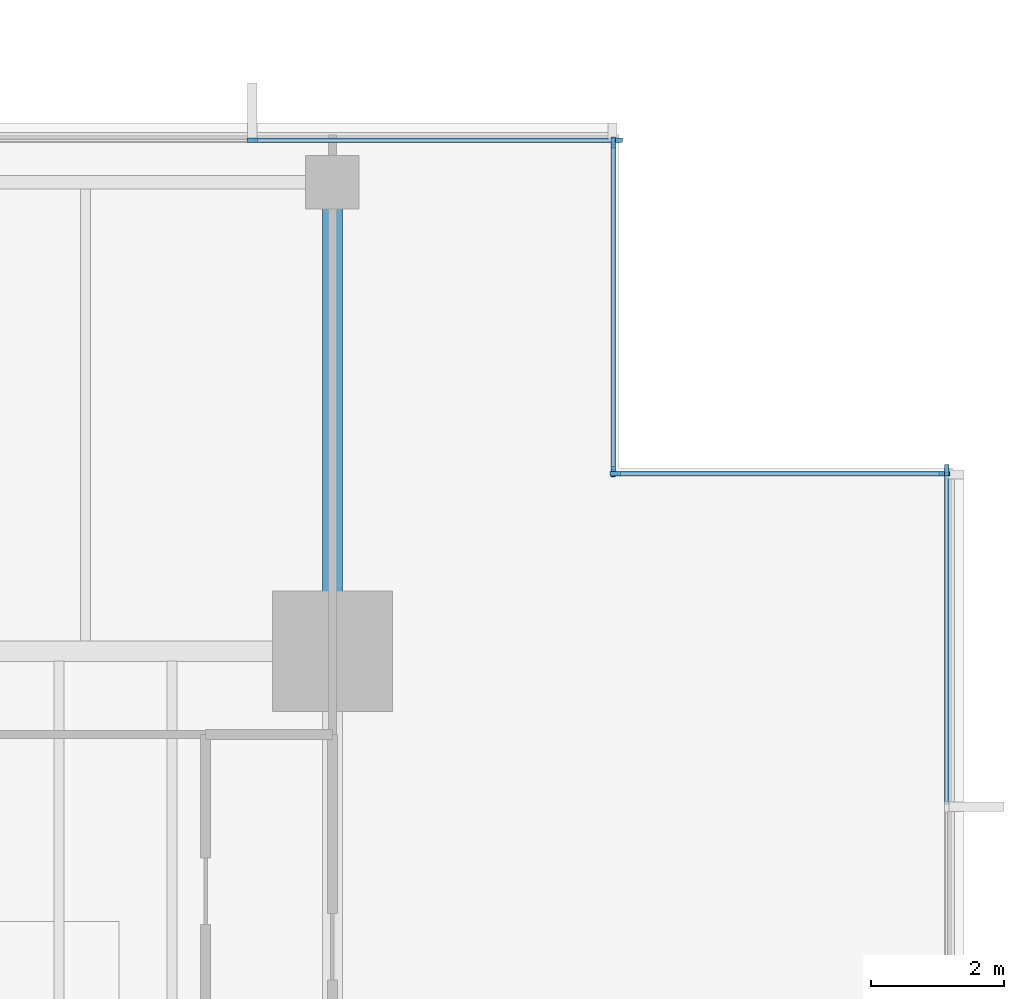
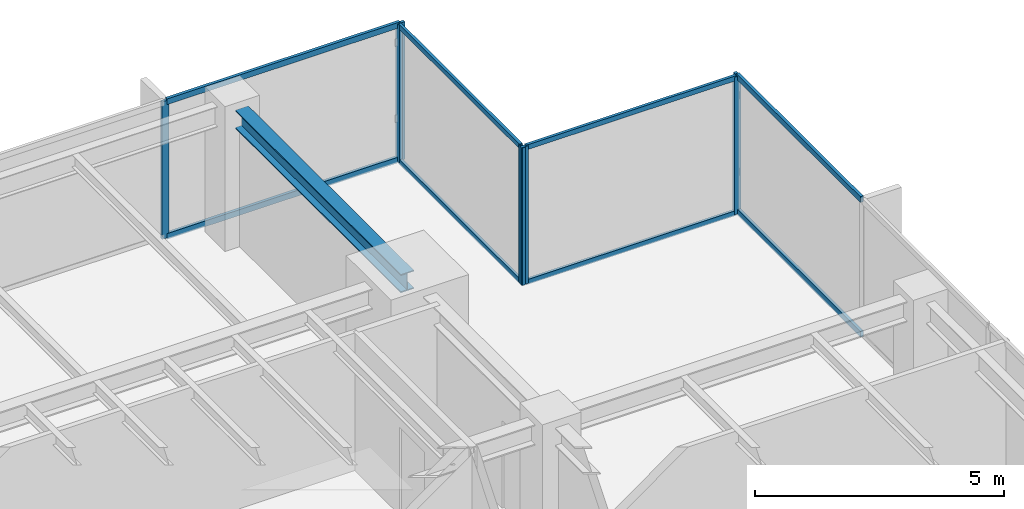
# One storey, part 6 of 14: 15 members, 1 beam, 4 elements without a shape of their own.
"""IFC4 building model written with IfcOpenShell, lengths in metres."""

from ifc_helpers import new_model, si_unit, direction, frame, origin, origin_2d, place, context, subcontext, project, spatial, rectangle, i_section, extrude, material, layer, layer_set, material_profile, profile_set, type_object, element, aggregate, save


model = new_model("IFC4")

# Units and contexts
model_context = context("Model", 3, precision=1e-05, world=origin(), true_north=direction((0.0, 1.0)))
body_context = subcontext(model_context, "Body", "Model", "MODEL_VIEW")
ifc_project = project(units=[si_unit("LENGTHUNIT", "METRE"), si_unit("AREAUNIT", "SQUARE_METRE"), si_unit("VOLUMEUNIT", "CUBIC_METRE"), si_unit("PLANEANGLEUNIT", "RADIAN"), si_unit("MASSUNIT", "GRAM", prefix="KILO")], contexts=[model_context])

# Site, building, storey
site_placement = place(None, origin())
site = spatial("IfcSite", under=ifc_project, at=site_placement, CompositionType="ELEMENT")
building_placement = place(site_placement, origin())
building = spatial("IfcBuilding", under=site, at=building_placement, Name="Kinhvarn Gate Tower", CompositionType="ELEMENT")
storey_placement = place(building_placement, frame((0.0, 0.0, 209.35009765625)))
storey = spatial("IfcBuildingStorey", under=building, at=storey_placement, Name="L55", CompositionType="ELEMENT", Elevation=209.35009765625)

# Curtain wall, members
ifc_material_1 = material(Name="Anodised aluminium AW-6063", Category="aluminium")
ifc_layer_1 = layer(ifc_material_1, 0.179931640625)
ifc_layer_set_1 = layer_set([ifc_layer_1], Name="Anodised aluminium AW-6063")
curtain_wall_type_1 = type_object("IfcCurtainWallType", Name="CW-SYS-3", PredefinedType="NOTDEFINED", material=ifc_layer_set_1)
curtain_wall_1_placement = place(storey_placement, origin())
curtain_wall_1 = element("IfcCurtainWall", 1, at=curtain_wall_1_placement, inside=storey, type_object=curtain_wall_type_1, Name="Curtain Wall CW3 (L55)", PredefinedType="NOTDEFINED")
ifc_material_profile_1 = material_profile(ifc_material_1, rectangle(XDim=0.06494140625, YDim=0.159912109375, at=origin_2d()), Name="ALU 65x160")
ifc_profile_set_1 = profile_set([ifc_material_profile_1], Name="Anodised aluminium AW-6063")
member_type_1 = type_object("IfcMemberType", Name="CW-MUL-160", PredefinedType="MULLION", material=ifc_profile_set_1)
member_1_placement = place(storey_placement, frame((42.467529296875, 45.409912109375, 0.0), z_axis=(0.0, 0.0, 1.0), x_axis=(0.0, -1.0, 0.0)))
member_1 = element("IfcMember", 2, at=member_1_placement, type_object=member_type_1, Name="CW3 mullion 1", PredefinedType="MULLION", context=body_context, shape_type="SweptSolid", body=[
    extrude(rectangle(XDim=0.06494140625, YDim=0.159912109375, at=origin_2d()), origin(), (0.0, 0.0, 1.0), 3.369873046875),
])
member_2_placement = place(storey_placement, frame((37.0, 45.409912109375, 0.0), z_axis=(0.0, 0.0, 1.0), x_axis=(0.0, -1.0, 0.0)))
member_2 = element("IfcMember", 3, at=member_2_placement, type_object=member_type_1, Name="CW3 mullion 2", PredefinedType="MULLION", context=body_context, shape_type="SweptSolid", body=[
    extrude(rectangle(XDim=0.06494140625, YDim=0.159912109375, at=origin_2d()), origin(), (0.0, 0.0, 1.0), 3.369873046875),
])

# Curtain wall, member
curtain_wall_2_placement = place(storey_placement, origin())
curtain_wall_2 = element("IfcCurtainWall", 4, at=curtain_wall_2_placement, inside=storey, type_object=curtain_wall_type_1, Name="Curtain Wall CW3 (L55)", PredefinedType="NOTDEFINED")
member_3_placement = place(storey_placement, frame((47.409912109375, 40.467529296875, 0.0), z_axis=(0.0, 0.0, 1.0), x_axis=(-1.0, 0.0, 0.0)))
member_3 = element("IfcMember", 5, at=member_3_placement, type_object=member_type_1, Name="CW3 mullion 7", PredefinedType="MULLION", context=body_context, shape_type="SweptSolid", body=[
    extrude(rectangle(XDim=0.06494140625, YDim=0.159912109375, at=origin_2d()), origin(), (0.0, 0.0, 1.0), 3.369873046875),
])

# Curtain wall, members
ifc_layer_2 = layer(ifc_material_1, 0.179931640625)
ifc_layer_set_2 = layer_set([ifc_layer_2], Name="Anodised aluminium AW-6063")
curtain_wall_type_2 = type_object("IfcCurtainWallType", Name="CW-SYS-4", PredefinedType="NOTDEFINED", material=ifc_layer_set_2)
curtain_wall_3_placement = place(storey_placement, origin())
curtain_wall_3 = element("IfcCurtainWall", 6, at=curtain_wall_3_placement, inside=storey, type_object=curtain_wall_type_2, Name="Curtain Wall CW4 (L55)", PredefinedType="NOTDEFINED")
member_4_placement = place(storey_placement, frame((47.37744140625, 40.409912109375, 0.0), z_axis=(0.0, 0.0, 1.0), x_axis=(0.0, -1.0, 0.0)))
member_4 = element("IfcMember", 7, at=member_4_placement, type_object=member_type_1, Name="CW4 mullion 1", PredefinedType="MULLION", context=body_context, shape_type="SweptSolid", body=[
    extrude(rectangle(XDim=0.06494140625, YDim=0.159912109375, at=origin_2d()), origin(), (0.0, 0.0, 1.0), 3.369873046875),
])
member_5_placement = place(storey_placement, frame((42.4423828125, 40.409912109375, 0.0), z_axis=(0.0, 0.0, 1.0), x_axis=(0.0, -1.0, 0.0)))
member_5 = element("IfcMember", 8, at=member_5_placement, type_object=member_type_1, Name="CW4 mullion 2", PredefinedType="MULLION", context=body_context, shape_type="SweptSolid", body=[
    extrude(rectangle(XDim=0.06494140625, YDim=0.159912109375, at=origin_2d()), origin(), (0.0, 0.0, 1.0), 3.369873046875),
])

curtain_wall_4_placement = place(storey_placement, origin())
curtain_wall_4 = element("IfcCurtainWall", 9, at=curtain_wall_4_placement, inside=storey, type_object=curtain_wall_type_2, Name="Curtain Wall CW4 (L55)", PredefinedType="NOTDEFINED")
member_6_placement = place(storey_placement, frame((42.409912109375, 40.4423828125, 0.0), z_axis=(0.0, 0.0, 1.0), x_axis=(-1.0, 0.0, 0.0)))
member_6 = element("IfcMember", 10, at=member_6_placement, type_object=member_type_1, Name="CW4 mullion 1", PredefinedType="MULLION", context=body_context, shape_type="SweptSolid", body=[
    extrude(rectangle(XDim=0.06494140625, YDim=0.159912109375, at=origin_2d()), origin(), (0.0, 0.0, 1.0), 3.369873046875),
])
member_7_placement = place(storey_placement, frame((42.409912109375, 45.37744140625, 0.0), z_axis=(0.0, 0.0, 1.0), x_axis=(-1.0, 0.0, 0.0)))
member_7 = element("IfcMember", 11, at=member_7_placement, type_object=member_type_1, Name="CW4 mullion 2", PredefinedType="MULLION", context=body_context, shape_type="SweptSolid", body=[
    extrude(rectangle(XDim=0.06494140625, YDim=0.159912109375, at=origin_2d()), origin(), (0.0, 0.0, 1.0), 3.369873046875),
])

# Member
ifc_material_profile_2 = material_profile(ifc_material_1, rectangle(XDim=0.06494140625, YDim=0.1201171875, at=origin_2d()), Name="ALU 65x120")
ifc_profile_set_2 = profile_set([ifc_material_profile_2], Name="Anodised aluminium AW-6063")
member_type_2 = type_object("IfcMemberType", Name="CW-TRN-120", PredefinedType="USERDEFINED", material=ifc_profile_set_2)
member_8_placement = place(storey_placement, frame((47.344970703125, 40.409912109375, 0.032470703125), z_axis=(-1.0, 0.0, 0.0), x_axis=(0.0, -1.0, 0.0)))
member_8 = element("IfcMember", 12, at=member_8_placement, type_object=member_type_2, Name="CW4 transom 1.1", ObjectType="TRANSOM", PredefinedType="USERDEFINED", context=body_context, shape_type="SweptSolid", body=[
    extrude(rectangle(XDim=0.06494140625, YDim=0.1201171875, at=origin_2d()), origin(), (0.0, 0.0, 1.0), 4.869873046875),
])

member_9_placement = place(storey_placement, frame((47.344970703125, 40.409912109375, 3.33740234375), z_axis=(-1.0, 0.0, 0.0), x_axis=(0.0, -1.0, 0.0)))
member_9 = element("IfcMember", 13, at=member_9_placement, type_object=member_type_2, Name="CW4 transom 1.2", ObjectType="TRANSOM", PredefinedType="USERDEFINED", context=body_context, shape_type="SweptSolid", body=[
    extrude(rectangle(XDim=0.06494140625, YDim=0.1201171875, at=origin_2d()), origin(), (0.0, 0.0, 1.0), 4.869873046875),
])

aggregate(curtain_wall_3, [member_4, member_5, member_8, member_9])

member_10_placement = place(storey_placement, frame((42.409912109375, 40.47509765625, 0.032470703125), z_axis=(0.0, 1.0, 0.0), x_axis=(-1.0, 0.0, 0.0)))
member_10 = element("IfcMember", 14, at=member_10_placement, type_object=member_type_2, Name="CW4 transom 1.1", ObjectType="TRANSOM", PredefinedType="USERDEFINED", context=body_context, shape_type="SweptSolid", body=[
    extrude(rectangle(XDim=0.06494140625, YDim=0.1201171875, at=origin_2d()), origin(), (0.0, 0.0, 1.0), 4.869873046875),
])

member_11_placement = place(storey_placement, frame((42.409912109375, 40.47509765625, 3.33740234375), z_axis=(0.0, 1.0, 0.0), x_axis=(-1.0, 0.0, 0.0)))
member_11 = element("IfcMember", 15, at=member_11_placement, type_object=member_type_2, Name="CW4 transom 1.2", ObjectType="TRANSOM", PredefinedType="USERDEFINED", context=body_context, shape_type="SweptSolid", body=[
    extrude(rectangle(XDim=0.06494140625, YDim=0.1201171875, at=origin_2d()), origin(), (0.0, 0.0, 1.0), 4.869873046875),
])

aggregate(curtain_wall_4, [member_6, member_7, member_10, member_11])

ifc_material_profile_3 = material_profile(ifc_material_1, rectangle(XDim=0.070068359375, YDim=0.139892578125, at=origin_2d()), Name="ALU 70x140")
ifc_profile_set_3 = profile_set([ifc_material_profile_3], Name="Anodised aluminium AW-6063")
member_type_3 = type_object("IfcMemberType", Name="CW-TRN-140", PredefinedType="USERDEFINED", material=ifc_profile_set_3)
member_12_placement = place(storey_placement, frame((42.43505859375, 45.409912109375, 0.034912109375), z_axis=(-1.0, 0.0, 0.0), x_axis=(0.0, -1.0, 0.0)))
member_12 = element("IfcMember", 16, at=member_12_placement, type_object=member_type_3, Name="CW3 transom 1.1", ObjectType="TRANSOM", PredefinedType="USERDEFINED", context=body_context, shape_type="SweptSolid", body=[
    extrude(rectangle(XDim=0.070068359375, YDim=0.139892578125, at=origin_2d()), origin(), (0.0, 0.0, 1.0), 5.402587890625),
])

member_13_placement = place(storey_placement, frame((42.43505859375, 45.409912109375, 3.3349609375), z_axis=(-1.0, 0.0, 0.0), x_axis=(0.0, -1.0, 0.0)))
member_13 = element("IfcMember", 17, at=member_13_placement, type_object=member_type_3, Name="CW3 transom 1.2", ObjectType="TRANSOM", PredefinedType="USERDEFINED", context=body_context, shape_type="SweptSolid", body=[
    extrude(rectangle(XDim=0.070068359375, YDim=0.139892578125, at=origin_2d()), origin(), (0.0, 0.0, 1.0), 5.402587890625),
])

aggregate(curtain_wall_1, [member_1, member_2, member_12, member_13])

member_14_placement = place(storey_placement, frame((47.409912109375, 35.44921875, 0.034912109375), z_axis=(0.0, 1.0, 0.0), x_axis=(-1.0, 0.0, 0.0)))
member_14 = element("IfcMember", 18, at=member_14_placement, type_object=member_type_3, Name="CW3 transom 6.1", ObjectType="TRANSOM", PredefinedType="USERDEFINED", context=body_context, shape_type="SweptSolid", body=[
    extrude(rectangle(XDim=0.070068359375, YDim=0.139892578125, at=origin_2d()), origin(), (0.0, 0.0, 1.0), 4.98583984375),
])

member_15_placement = place(storey_placement, frame((47.409912109375, 35.44921875, 3.3349609375), z_axis=(0.0, 1.0, 0.0), x_axis=(-1.0, 0.0, 0.0)))
member_15 = element("IfcMember", 19, at=member_15_placement, type_object=member_type_3, Name="CW3 transom 6.2", ObjectType="TRANSOM", PredefinedType="USERDEFINED", context=body_context, shape_type="SweptSolid", body=[
    extrude(rectangle(XDim=0.070068359375, YDim=0.139892578125, at=origin_2d()), origin(), (0.0, 0.0, 1.0), 4.98583984375),
])

aggregate(curtain_wall_2, [member_3, member_14, member_15])

# Beam
ifc_material_2 = material(Name="Steel S355", Category="steel")
ifc_material_profile_4 = material_profile(ifc_material_2, i_section(OverallWidth=0.300048828125, OverallDepth=0.449951171875, WebThickness=0.013916015625, FlangeThickness=0.02587890625, at=origin_2d()), Name="HEB 450")
ifc_profile_set_4 = profile_set([ifc_material_profile_4], Name="Steel S355")
beam_type = type_object("IfcBeamType", Name="STL-HEB450", PredefinedType="BEAM", material=ifc_profile_set_4)
beam_placement = place(storey_placement, frame((38.199951171875, 37.75, 3.14501953125), z_axis=(0.0, 1.0, 0.0), x_axis=(-1.0, 0.0, 0.0)))
element("IfcBeam", 20, at=beam_placement, inside=storey, type_object=beam_type, Name="Floor Beam PG-13 (L55 MCE-N)", PredefinedType="BEAM", context=body_context, shape_type="SweptSolid", body=[
    extrude(i_section(OverallWidth=0.300048828125, OverallDepth=0.449951171875, WebThickness=0.013916015625, FlangeThickness=0.02587890625, at=origin_2d()), origin(), (0.0, 0.0, 1.0), 6.64501953125),
])

save(model, "model.ifc")
